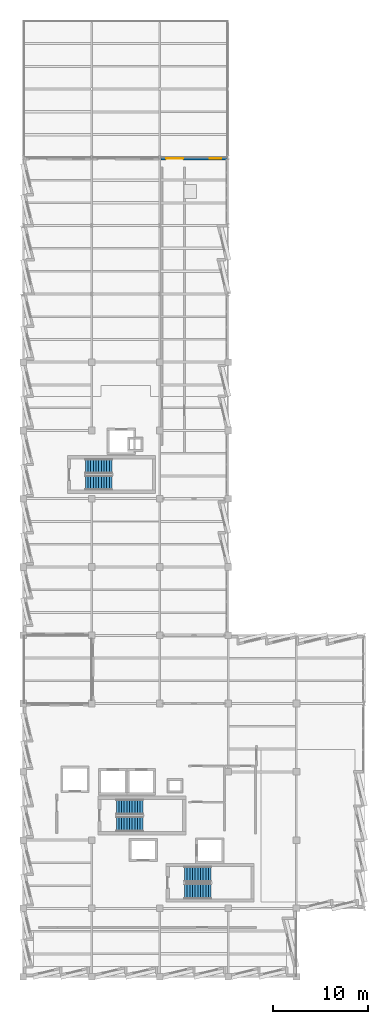
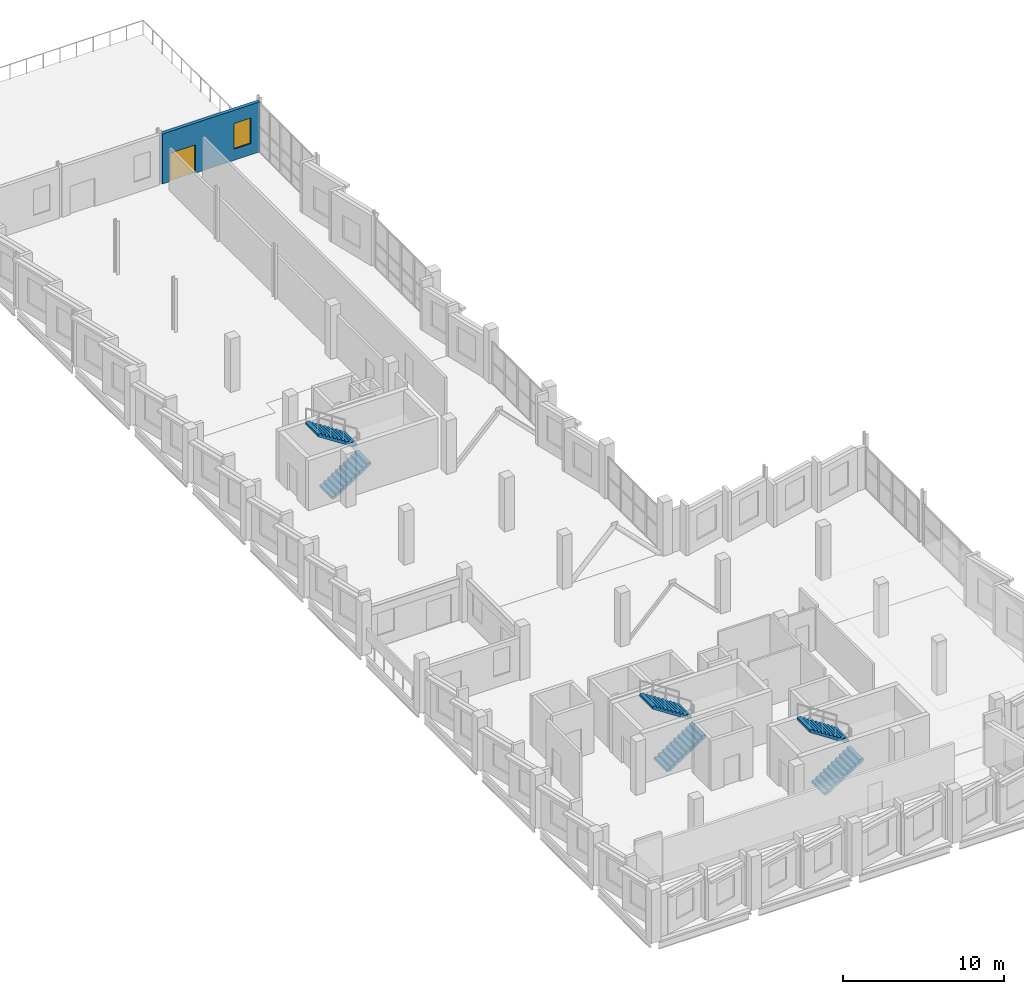
# One storey, part 27 of 33: 6 stair flights, 1 door, 1 wall, 1 window, 2 openings, 3 elements without a shape of their own.
"""IFC4 building model written with IfcOpenShell, lengths in metres."""

from ifc_helpers import new_model, si_unit, direction, frame, frame_2d, origin, place, context, subcontext, project, spatial, polyline, rectangle, outline, extrude, material, layer, layer_set, type_object, element, fill, aggregate, save


model = new_model("IFC4")

# Units and contexts
model_context = context("Model", 3, precision=1e-05, world=origin(), true_north=direction((0.0, 1.0)))
body_context = subcontext(model_context, "Body", "Model", "MODEL_VIEW")
ifc_project = project(units=[si_unit("LENGTHUNIT", "METRE"), si_unit("AREAUNIT", "SQUARE_METRE"), si_unit("VOLUMEUNIT", "CUBIC_METRE"), si_unit("PLANEANGLEUNIT", "RADIAN"), si_unit("MASSUNIT", "GRAM", prefix="KILO")], contexts=[model_context])

# Site, building, storey
site_placement = place(None, origin())
site = spatial("IfcSite", under=ifc_project, at=site_placement, CompositionType="ELEMENT")
building_placement = place(site_placement, origin())
building = spatial("IfcBuilding", under=site, at=building_placement, Name="Kalmorath City Hall", CompositionType="ELEMENT")
storey_placement = place(building_placement, frame((0.0, 0.0, 22.949951171875)))
storey = spatial("IfcBuildingStorey", under=building, at=storey_placement, Name="L05", CompositionType="ELEMENT", Elevation=22.949951171875)

# Wall, openings, window, door
ifc_material_1 = material(Name="Precast concrete C40/50", Category="concrete")
ifc_layer = layer(ifc_material_1, 0.239990234375)
ifc_layer_set = layer_set([ifc_layer], Name="Precast concrete C40/50")
wall_type = type_object("IfcWallType", Name="Recessed loggia insulated wall 240", PredefinedType="SOLIDWALL", material=ifc_layer_set)
wall_placement = place(storey_placement, frame((14.5029296875, 86.260009765625, 0.0), z_axis=(0.0, 0.0, 1.0), x_axis=(1.0, 0.0, 0.0)))
wall = element("IfcWall", 1, at=wall_placement, inside=storey, type_object=wall_type, Name="L05 loggia wall #936", PredefinedType="SOLIDWALL", context=body_context, shape_type="SweptSolid", body=[
    extrude(rectangle(XDim=6.994140625, YDim=0.239990234375, at=frame_2d((3.4970703125, 0.0))), origin(), (0.0, 0.0, 1.0), 3.800048828125),
])
opening_1_placement = place(wall_placement, frame((0.550048828125, 0.0, 0.0)))
opening_1 = element("IfcOpeningElement", 2, at=opening_1_placement, cuts=wall, Name="Opening D-E036", PredefinedType="OPENING", context=body_context, shape_type="SweptSolid", body=[
    extrude(rectangle(XDim=1.800048828125, YDim=2.14990234375, at=frame_2d((0.89990234375, 1.074951171875))), frame((0.0, 0.1298828125, 0.0), z_axis=(0.0, -1.0, 0.0), x_axis=(1.0, 0.0, 0.0)), (0.0, 0.0, 1.0), 0.260009765625),
])
opening_2_placement = place(wall_placement, frame((5.14404296875, 0.0, 0.85009765625)))
opening_2 = element("IfcOpeningElement", 3, at=opening_2_placement, cuts=wall, Name="Opening WN16", PredefinedType="OPENING", context=body_context, shape_type="SweptSolid", body=[
    extrude(rectangle(XDim=1.199951171875, YDim=1.949951171875, at=frame_2d((0.60009765625, 0.97509765625))), frame((0.0, 0.1298828125, 0.0), z_axis=(0.0, -1.0, 0.0), x_axis=(1.0, 0.0, 0.0)), (0.0, 0.0, 1.0), 0.260009765625),
])
ifc_material_2 = material(Name="Hardwood-trimmed laminated glass", Category="wood")
window_type = type_object("IfcWindowType", Name="Loggia sidelight window 1200x1950", PartitioningType="SINGLE_PANEL", PredefinedType="WINDOW", material=ifc_material_2)
window_placement = place(opening_2_placement, origin())
window = element("IfcWindow", 4, at=window_placement, inside=storey, type_object=window_type, Name="L05 window WN16-482", OverallHeight=1.949951171875, OverallWidth=1.199951171875, PartitioningType="SINGLE_PANEL", PredefinedType="WINDOW", context=body_context, shape_type="SweptSolid", body=[
    extrude(rectangle(XDim=1.199951171875, YDim=1.949951171875, at=frame_2d((0.60009765625, 0.97509765625))), frame((0.0, 0.030029296875, 0.0), z_axis=(0.0, -1.0, 0.0), x_axis=(1.0, 0.0, 0.0)), (0.0, 0.0, 1.0), 0.06005859375),
])
fill(opening_2, window)
ifc_material_3 = material(Name="Bronze-anodised aluminium and glass", Category="aluminium")
door_type = type_object("IfcDoorType", Name="Roof garden double terrace door 1800x2150", OperationType="DOUBLE_DOOR_SINGLE_SWING", PredefinedType="DOOR", material=ifc_material_3)
door_placement = place(opening_1_placement, origin())
door = element("IfcDoor", 5, at=door_placement, inside=storey, type_object=door_type, Name="L05 exterior door D-E036", OperationType="DOUBLE_DOOR_SINGLE_SWING", OverallHeight=2.14990234375, OverallWidth=1.800048828125, PredefinedType="DOOR", context=body_context, shape_type="SweptSolid", body=[
    extrude(rectangle(XDim=1.800048828125, YDim=2.14990234375, at=frame_2d((0.89990234375, 1.074951171875))), frame((0.0, 0.02490234375, 0.0), z_axis=(0.0, -1.0, 0.0), x_axis=(1.0, 0.0, 0.0)), (0.0, 0.0, 1.0), 0.050048828125),
])
fill(opening_1, door)

# Stair, stair flights
ifc_material_4 = material(Name="Concrete C40/50", Category="concrete")
stair_type_1 = type_object("IfcStairType", Name="Dogleg concrete exit stair 22R x 184mm W1550", PredefinedType="HALF_TURN_STAIR", material=ifc_material_4)
stair_1_placement = place(storey_placement, origin())
stair_1 = element("IfcStair", 6, at=stair_1_placement, inside=storey, type_object=stair_type_1, Name="L05 Protected exit stair ST-3", PredefinedType="HALF_TURN_STAIR")
ifc_material_5 = material(Name="Concrete C40/50", Category="concrete")
stair_flight_type_1 = type_object("IfcStairFlightType", Name="Concrete stair flight 184x280 W1550", PredefinedType="STRAIGHT", material=ifc_material_5)
stair_flight_1_placement = place(storey_placement, frame((6.550048828125, 52.074951171875, 0.0), z_axis=(0.0, 0.0, 1.0), x_axis=(1.0, 0.0, 0.0)))
stair_flight_1 = element("IfcStairFlight", 7, at=stair_flight_1_placement, type_object=stair_flight_type_1, Name="ST-3 flight 1", NumberOfRisers=11, NumberOfTreads=10, PredefinedType="STRAIGHT", RiserHeight=0.184090909, TreadLength=0.28, context=body_context, shape_type="SweptSolid", body=[
    extrude(outline(polyline([(0.0, 0.0), (0.0, 0.18408203125), (0.280029296875, 0.18408203125), (0.280029296875, 0.3681640625), (0.56005859375, 0.3681640625), (0.56005859375, 0.55224609375), (0.840087890625, 0.55224609375), (0.840087890625, 0.736328125), (1.1201171875, 0.736328125), (1.1201171875, 0.92041015625), (1.39990234375, 0.92041015625), (1.39990234375, 1.1044921875), (1.679931640625, 1.1044921875), (1.679931640625, 1.28857421875), (1.9599609375, 1.28857421875), (1.9599609375, 1.47265625), (2.239990234375, 1.47265625), (2.239990234375, 1.65673828125), (2.52001953125, 1.65673828125), (2.52001953125, 1.8408203125), (2.800048828125, 1.8408203125), (2.800048828125, 2.02490234375), (2.800048828125, 1.66162109375), (0.27294921875, 0.0), (0.0, 0.0)])), frame((0.0, 0.77490234375, 0.0), z_axis=(0.0, -1.0, 0.0), x_axis=(1.0, 0.0, 0.0)), (0.0, 0.0, 1.0), 1.550048828125),
])
stair_flight_2_placement = place(storey_placement, frame((9.35009765625, 53.824951171875, 2.025146484375), z_axis=(0.0, 0.0, 1.0), x_axis=(-1.0, 0.0, 0.0)))
stair_flight_2 = element("IfcStairFlight", 8, at=stair_flight_2_placement, type_object=stair_flight_type_1, Name="ST-3 flight 2", NumberOfRisers=11, NumberOfTreads=10, PredefinedType="STRAIGHT", RiserHeight=0.184090909, TreadLength=0.28, context=body_context, shape_type="SweptSolid", body=[
    extrude(outline(polyline([(0.0, 0.0), (0.0, 0.18408203125), (0.280029296875, 0.18408203125), (0.280029296875, 0.3681640625), (0.56005859375, 0.3681640625), (0.56005859375, 0.55224609375), (0.840087890625, 0.55224609375), (0.840087890625, 0.736328125), (1.1201171875, 0.736328125), (1.1201171875, 0.92041015625), (1.39990234375, 0.92041015625), (1.39990234375, 1.1044921875), (1.679931640625, 1.1044921875), (1.679931640625, 1.28857421875), (1.9599609375, 1.28857421875), (1.9599609375, 1.47265625), (2.239990234375, 1.47265625), (2.239990234375, 1.65673828125), (2.52001953125, 1.65673828125), (2.52001953125, 1.8408203125), (2.800048828125, 1.8408203125), (2.800048828125, 2.02490234375), (2.800048828125, 1.66162109375), (0.27294921875, 0.0), (0.0, 0.0)])), frame((0.0, 0.77490234375, 0.0), z_axis=(0.0, -1.0, 0.0), x_axis=(1.0, 0.0, 0.0)), (0.0, 0.0, 1.0), 1.550048828125),
])
aggregate(stair_1, [stair_flight_1, stair_flight_2])

ifc_material_6 = material(Name="Concrete C40/50", Category="concrete")
stair_type_2 = type_object("IfcStairType", Name="Dogleg concrete exit stair 22R x 184mm W1600", PredefinedType="HALF_TURN_STAIR", material=ifc_material_6)
stair_2_placement = place(storey_placement, origin())
stair_2 = element("IfcStair", 9, at=stair_2_placement, inside=storey, type_object=stair_type_2, Name="L05 Protected exit stair ST-1", PredefinedType="HALF_TURN_STAIR")
ifc_material_7 = material(Name="Concrete C40/50", Category="concrete")
stair_flight_type_2 = type_object("IfcStairFlightType", Name="Concrete stair flight 184x280 W1600", PredefinedType="STRAIGHT", material=ifc_material_7)
stair_flight_3_placement = place(storey_placement, frame((9.800048828125, 16.10009765625, 0.0), z_axis=(0.0, 0.0, 1.0), x_axis=(1.0, 0.0, 0.0)))
stair_flight_3 = element("IfcStairFlight", 10, at=stair_flight_3_placement, type_object=stair_flight_type_2, Name="ST-1 flight 1", NumberOfRisers=11, NumberOfTreads=10, PredefinedType="STRAIGHT", RiserHeight=0.184090909, TreadLength=0.28, context=body_context, shape_type="SweptSolid", body=[
    extrude(outline(polyline([(0.0, 0.0), (0.0, 0.18408203125), (0.280029296875, 0.18408203125), (0.280029296875, 0.3681640625), (0.56005859375, 0.3681640625), (0.56005859375, 0.55224609375), (0.840087890625, 0.55224609375), (0.840087890625, 0.736328125), (1.1201171875, 0.736328125), (1.1201171875, 0.92041015625), (1.39990234375, 0.92041015625), (1.39990234375, 1.1044921875), (1.679931640625, 1.1044921875), (1.679931640625, 1.28857421875), (1.9599609375, 1.28857421875), (1.9599609375, 1.47265625), (2.239990234375, 1.47265625), (2.239990234375, 1.65673828125), (2.52001953125, 1.65673828125), (2.52001953125, 1.8408203125), (2.800048828125, 1.8408203125), (2.800048828125, 2.02490234375), (2.800048828125, 1.66162109375), (0.27294921875, 0.0), (0.0, 0.0)])), frame((0.0, 0.800048828125, 0.0), z_axis=(0.0, -1.0, 0.0), x_axis=(1.0, 0.0, 0.0)), (0.0, 0.0, 1.0), 1.60009765625),
])
stair_flight_4_placement = place(storey_placement, frame((12.60009765625, 17.89990234375, 2.025146484375), z_axis=(0.0, 0.0, 1.0), x_axis=(-1.0, 0.0, 0.0)))
stair_flight_4 = element("IfcStairFlight", 11, at=stair_flight_4_placement, type_object=stair_flight_type_2, Name="ST-1 flight 2", NumberOfRisers=11, NumberOfTreads=10, PredefinedType="STRAIGHT", RiserHeight=0.184090909, TreadLength=0.28, context=body_context, shape_type="SweptSolid", body=[
    extrude(outline(polyline([(0.0, 0.0), (0.0, 0.18408203125), (0.280029296875, 0.18408203125), (0.280029296875, 0.3681640625), (0.56005859375, 0.3681640625), (0.56005859375, 0.55224609375), (0.840087890625, 0.55224609375), (0.840087890625, 0.736328125), (1.1201171875, 0.736328125), (1.1201171875, 0.92041015625), (1.39990234375, 0.92041015625), (1.39990234375, 1.1044921875), (1.679931640625, 1.1044921875), (1.679931640625, 1.28857421875), (1.9599609375, 1.28857421875), (1.9599609375, 1.47265625), (2.239990234375, 1.47265625), (2.239990234375, 1.65673828125), (2.52001953125, 1.65673828125), (2.52001953125, 1.8408203125), (2.800048828125, 1.8408203125), (2.800048828125, 2.02490234375), (2.800048828125, 1.66162109375), (0.27294921875, 0.0), (0.0, 0.0)])), frame((0.0, 0.800048828125, 0.0), z_axis=(0.0, -1.0, 0.0), x_axis=(1.0, 0.0, 0.0)), (0.0, 0.0, 1.0), 1.60009765625),
])
aggregate(stair_2, [stair_flight_3, stair_flight_4])

stair_3_placement = place(storey_placement, origin())
stair_3 = element("IfcStair", 12, at=stair_3_placement, inside=storey, type_object=stair_type_2, Name="L05 Protected exit stair ST-2", PredefinedType="HALF_TURN_STAIR")
stair_flight_5_placement = place(storey_placement, frame((17.0, 9.0, 0.0), z_axis=(0.0, 0.0, 1.0), x_axis=(1.0, 0.0, 0.0)))
stair_flight_5 = element("IfcStairFlight", 13, at=stair_flight_5_placement, type_object=stair_flight_type_2, Name="ST-2 flight 1", NumberOfRisers=11, NumberOfTreads=10, PredefinedType="STRAIGHT", RiserHeight=0.184090909, TreadLength=0.28, context=body_context, shape_type="SweptSolid", body=[
    extrude(outline(polyline([(0.0, 0.0), (0.0, 0.18408203125), (0.280029296875, 0.18408203125), (0.280029296875, 0.3681640625), (0.56005859375, 0.3681640625), (0.56005859375, 0.55224609375), (0.840087890625, 0.55224609375), (0.840087890625, 0.736328125), (1.1201171875, 0.736328125), (1.1201171875, 0.92041015625), (1.39990234375, 0.92041015625), (1.39990234375, 1.1044921875), (1.679931640625, 1.1044921875), (1.679931640625, 1.28857421875), (1.9599609375, 1.28857421875), (1.9599609375, 1.47265625), (2.239990234375, 1.47265625), (2.239990234375, 1.65673828125), (2.52001953125, 1.65673828125), (2.52001953125, 1.8408203125), (2.800048828125, 1.8408203125), (2.800048828125, 2.02490234375), (2.800048828125, 1.66162109375), (0.27294921875, 0.0), (0.0, 0.0)])), frame((0.0, 0.800048828125, 0.0), z_axis=(0.0, -1.0, 0.0), x_axis=(1.0, 0.0, 0.0)), (0.0, 0.0, 1.0), 1.60009765625),
])
stair_flight_6_placement = place(storey_placement, frame((19.800048828125, 10.800048828125, 2.025146484375), z_axis=(0.0, 0.0, 1.0), x_axis=(-1.0, 0.0, 0.0)))
stair_flight_6 = element("IfcStairFlight", 14, at=stair_flight_6_placement, type_object=stair_flight_type_2, Name="ST-2 flight 2", NumberOfRisers=11, NumberOfTreads=10, PredefinedType="STRAIGHT", RiserHeight=0.184090909, TreadLength=0.28, context=body_context, shape_type="SweptSolid", body=[
    extrude(outline(polyline([(0.0, 0.0), (0.0, 0.18408203125), (0.280029296875, 0.18408203125), (0.280029296875, 0.3681640625), (0.56005859375, 0.3681640625), (0.56005859375, 0.55224609375), (0.840087890625, 0.55224609375), (0.840087890625, 0.736328125), (1.1201171875, 0.736328125), (1.1201171875, 0.92041015625), (1.39990234375, 0.92041015625), (1.39990234375, 1.1044921875), (1.679931640625, 1.1044921875), (1.679931640625, 1.28857421875), (1.9599609375, 1.28857421875), (1.9599609375, 1.47265625), (2.239990234375, 1.47265625), (2.239990234375, 1.65673828125), (2.52001953125, 1.65673828125), (2.52001953125, 1.8408203125), (2.800048828125, 1.8408203125), (2.800048828125, 2.02490234375), (2.800048828125, 1.66162109375), (0.27294921875, 0.0), (0.0, 0.0)])), frame((0.0, 0.800048828125, 0.0), z_axis=(0.0, -1.0, 0.0), x_axis=(1.0, 0.0, 0.0)), (0.0, 0.0, 1.0), 1.60009765625),
])
aggregate(stair_3, [stair_flight_5, stair_flight_6])

save(model, "model.ifc")
